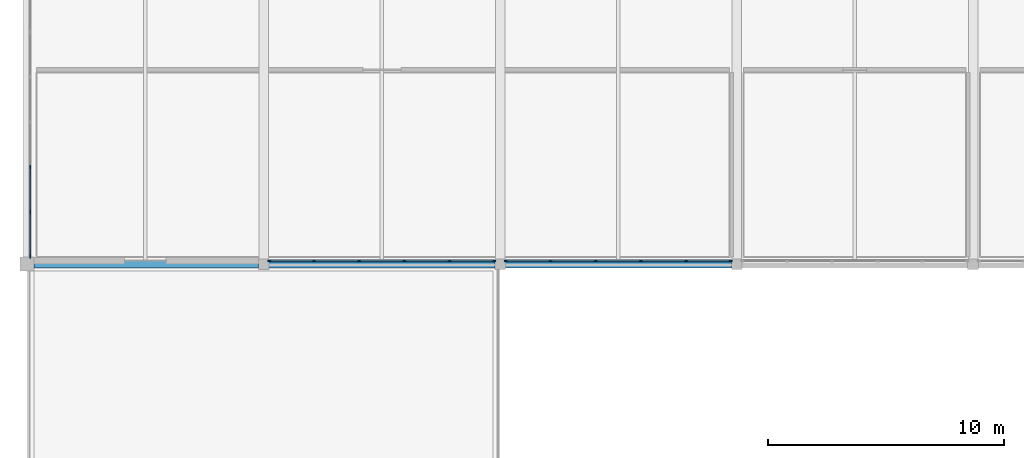
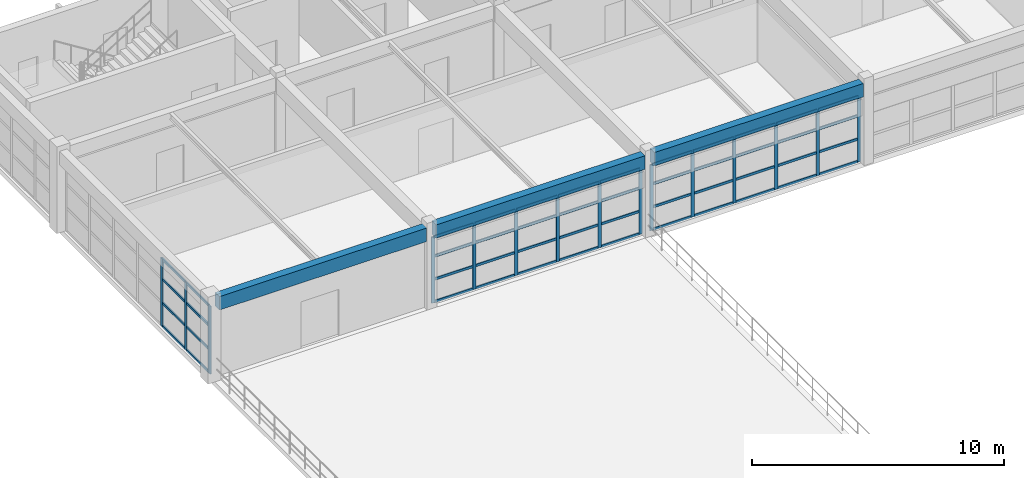
# One storey, part 3 of 21: 63 members, 3 beams, 3 elements without a shape of their own.
"""IFC4 building model written with IfcOpenShell, lengths in metres."""

from ifc_helpers import new_model, si_unit, direction, frame, origin, origin_2d, place, context, subcontext, project, spatial, rectangle, extrude, material, layer, layer_set, material_profile, profile_set, type_object, element, aggregate, save


model = new_model("IFC4")

# Units and contexts
model_context = context("Model", 3, precision=1e-05, world=origin(), true_north=direction((0.0, 1.0)))
body_context = subcontext(model_context, "Body", "Model", "MODEL_VIEW")
ifc_project = project(units=[si_unit("LENGTHUNIT", "METRE"), si_unit("AREAUNIT", "SQUARE_METRE"), si_unit("VOLUMEUNIT", "CUBIC_METRE"), si_unit("PLANEANGLEUNIT", "RADIAN"), si_unit("MASSUNIT", "GRAM", prefix="KILO")], contexts=[model_context])

# Site, building, storey
site_placement = place(None, origin())
site = spatial("IfcSite", under=ifc_project, at=site_placement, CompositionType="ELEMENT")
building_placement = place(site_placement, origin())
building = spatial("IfcBuilding", under=site, at=building_placement, Name="Kivolera Central Railway Station", CompositionType="ELEMENT")
storey_placement = place(building_placement, frame((0.0, 0.0, 22.800048828125)))
storey = spatial("IfcBuildingStorey", under=building, at=storey_placement, Name="L05", CompositionType="ELEMENT", Elevation=22.800048828125)

# Beams
ifc_material_1 = material(Name="Concrete C40/50", Category="concrete")
ifc_material_profile_1 = material_profile(ifc_material_1, rectangle(XDim=0.35009765625, YDim=0.64990234375, at=origin_2d()), Name="RC 350x650")
ifc_profile_set_1 = profile_set([ifc_material_profile_1], Name="Concrete C40/50")
beam_type = type_object("IfcBeamType", Name="BM-RC-350x650", PredefinedType="BEAM", material=ifc_profile_set_1)
beam_placement = place(storey_placement, frame((118.2919921875, 114.0, 3.625), z_axis=(1.0, 0.0, 0.0), x_axis=(0.0, 1.0, 0.0)))
element("IfcBeam", 1, at=beam_placement, inside=storey, type_object=beam_type, Name="L05 Wing X-Beam K:12-13", PredefinedType="BEAM", context=body_context, shape_type="SweptSolid", body=[
    extrude(rectangle(XDim=0.35009765625, YDim=0.64990234375, at=origin_2d()), origin(), (0.0, 0.0, 1.0), 9.490966796875),
])
for number, where, z_axis, x_axis, name in (
    (2, (128.217041015625, 114.0, 3.625), (1.0, 0.0, 0.0), (0.0, 1.0, 0.0), "L05 Wing X-Beam K:13-14"),
    (3, (138.217041015625, 114.0, 3.625), (1.0, 0.0, 0.0), (0.0, 1.0, 0.0), "L05 Wing X-Beam K:14-15"),
):
    element("IfcBeam", number, at=place(storey_placement, frame(where, z_axis=z_axis, x_axis=x_axis)), inside=storey, type_object=beam_type, Name=name, PredefinedType="BEAM", context=body_context, shape_type="SweptSolid", body=[
        extrude(rectangle(XDim=0.35009765625, YDim=0.64990234375, at=origin_2d()), origin(), (0.0, 0.0, 1.0), 9.56591796875),
    ])

# Curtain wall, members
ifc_material_2 = material(Name="Anodised aluminium", Category="aluminium")
ifc_layer_1 = layer(ifc_material_2, 0.179931640625, Name="Anodised aluminium")
ifc_layer_set_1 = layer_set([ifc_layer_1], Name="Anodised aluminium")
curtain_wall_type_1 = type_object("IfcCurtainWallType", Name="CW-SYS-34", PredefinedType="NOTDEFINED", material=ifc_layer_set_1)
curtain_wall_1_placement = place(storey_placement, origin())
curtain_wall_1 = element("IfcCurtainWall", 4, at=curtain_wall_1_placement, inside=storey, type_object=curtain_wall_type_1, Name="L05 Curtain Wall CW-L05-CRTN-128", PredefinedType="NOTDEFINED")
ifc_material_profile_2 = material_profile(ifc_material_2, rectangle(XDim=0.06005859375, YDim=0.14990234375, at=origin_2d()), Name="ALU MULL 60x150")
ifc_profile_set_2 = profile_set([ifc_material_profile_2], Name="Anodised aluminium")
member_type_1 = type_object("IfcMemberType", Name="CWM-MUL-2", PredefinedType="MULLION", material=ifc_profile_set_2)
member_1_placement = place(storey_placement, frame((137.75, 114.135009765625, -0.005126953125), z_axis=(0.0, 0.0, 1.0), x_axis=(0.0, -1.0, 0.0)))
member_1 = element("IfcMember", 5, at=member_1_placement, type_object=member_type_1, Name="CW-34 mullion 1", PredefinedType="MULLION", context=body_context, shape_type="SweptSolid", body=[
    extrude(rectangle(XDim=0.06005859375, YDim=0.14990234375, at=origin_2d()), origin(), (0.0, 0.0, 1.0), 3.193115234375),
])
member_2_placement = place(storey_placement, frame((135.867919921875, 114.135009765625, -0.005126953125), z_axis=(0.0, 0.0, 1.0), x_axis=(0.0, -1.0, 0.0)))
member_2 = element("IfcMember", 6, at=member_2_placement, type_object=member_type_1, Name="CW-34 mullion 2", PredefinedType="MULLION", context=body_context, shape_type="SweptSolid", body=[
    extrude(rectangle(XDim=0.06005859375, YDim=0.14990234375, at=origin_2d()), origin(), (0.0, 0.0, 1.0), 3.193115234375),
])
member_3_placement = place(storey_placement, frame((133.9560546875, 114.135009765625, -0.005126953125), z_axis=(0.0, 0.0, 1.0), x_axis=(0.0, -1.0, 0.0)))
member_3 = element("IfcMember", 7, at=member_3_placement, type_object=member_type_1, Name="CW-34 mullion 3", PredefinedType="MULLION", context=body_context, shape_type="SweptSolid", body=[
    extrude(rectangle(XDim=0.06005859375, YDim=0.14990234375, at=origin_2d()), origin(), (0.0, 0.0, 1.0), 3.193115234375),
])
member_4_placement = place(storey_placement, frame((132.0439453125, 114.135009765625, -0.005126953125), z_axis=(0.0, 0.0, 1.0), x_axis=(0.0, -1.0, 0.0)))
member_4 = element("IfcMember", 8, at=member_4_placement, type_object=member_type_1, Name="CW-34 mullion 4", PredefinedType="MULLION", context=body_context, shape_type="SweptSolid", body=[
    extrude(rectangle(XDim=0.06005859375, YDim=0.14990234375, at=origin_2d()), origin(), (0.0, 0.0, 1.0), 3.193115234375),
])
member_5_placement = place(storey_placement, frame((130.132080078125, 114.135009765625, -0.005126953125), z_axis=(0.0, 0.0, 1.0), x_axis=(0.0, -1.0, 0.0)))
member_5 = element("IfcMember", 9, at=member_5_placement, type_object=member_type_1, Name="CW-34 mullion 5", PredefinedType="MULLION", context=body_context, shape_type="SweptSolid", body=[
    extrude(rectangle(XDim=0.06005859375, YDim=0.14990234375, at=origin_2d()), origin(), (0.0, 0.0, 1.0), 3.193115234375),
])
member_6_placement = place(storey_placement, frame((128.25, 114.135009765625, -0.005126953125), z_axis=(0.0, 0.0, 1.0), x_axis=(0.0, -1.0, 0.0)))
member_6 = element("IfcMember", 10, at=member_6_placement, type_object=member_type_1, Name="CW-34 mullion 6", PredefinedType="MULLION", context=body_context, shape_type="SweptSolid", body=[
    extrude(rectangle(XDim=0.06005859375, YDim=0.14990234375, at=origin_2d()), origin(), (0.0, 0.0, 1.0), 3.193115234375),
])

curtain_wall_2_placement = place(storey_placement, origin())
curtain_wall_2 = element("IfcCurtainWall", 11, at=curtain_wall_2_placement, inside=storey, type_object=curtain_wall_type_1, Name="L05 Curtain Wall CW-L05-CRTN-138", PredefinedType="NOTDEFINED")
member_7_placement = place(storey_placement, frame((147.75, 114.135009765625, -0.005126953125), z_axis=(0.0, 0.0, 1.0), x_axis=(0.0, -1.0, 0.0)))
member_7 = element("IfcMember", 12, at=member_7_placement, type_object=member_type_1, Name="CW-34 mullion 1", PredefinedType="MULLION", context=body_context, shape_type="SweptSolid", body=[
    extrude(rectangle(XDim=0.06005859375, YDim=0.14990234375, at=origin_2d()), origin(), (0.0, 0.0, 1.0), 3.193115234375),
])
member_8_placement = place(storey_placement, frame((145.867919921875, 114.135009765625, -0.005126953125), z_axis=(0.0, 0.0, 1.0), x_axis=(0.0, -1.0, 0.0)))
member_8 = element("IfcMember", 13, at=member_8_placement, type_object=member_type_1, Name="CW-34 mullion 2", PredefinedType="MULLION", context=body_context, shape_type="SweptSolid", body=[
    extrude(rectangle(XDim=0.06005859375, YDim=0.14990234375, at=origin_2d()), origin(), (0.0, 0.0, 1.0), 3.193115234375),
])
member_9_placement = place(storey_placement, frame((143.9560546875, 114.135009765625, -0.005126953125), z_axis=(0.0, 0.0, 1.0), x_axis=(0.0, -1.0, 0.0)))
member_9 = element("IfcMember", 14, at=member_9_placement, type_object=member_type_1, Name="CW-34 mullion 3", PredefinedType="MULLION", context=body_context, shape_type="SweptSolid", body=[
    extrude(rectangle(XDim=0.06005859375, YDim=0.14990234375, at=origin_2d()), origin(), (0.0, 0.0, 1.0), 3.193115234375),
])
member_10_placement = place(storey_placement, frame((142.0439453125, 114.135009765625, -0.005126953125), z_axis=(0.0, 0.0, 1.0), x_axis=(0.0, -1.0, 0.0)))
member_10 = element("IfcMember", 15, at=member_10_placement, type_object=member_type_1, Name="CW-34 mullion 4", PredefinedType="MULLION", context=body_context, shape_type="SweptSolid", body=[
    extrude(rectangle(XDim=0.06005859375, YDim=0.14990234375, at=origin_2d()), origin(), (0.0, 0.0, 1.0), 3.193115234375),
])
member_11_placement = place(storey_placement, frame((140.132080078125, 114.135009765625, -0.005126953125), z_axis=(0.0, 0.0, 1.0), x_axis=(0.0, -1.0, 0.0)))
member_11 = element("IfcMember", 16, at=member_11_placement, type_object=member_type_1, Name="CW-34 mullion 5", PredefinedType="MULLION", context=body_context, shape_type="SweptSolid", body=[
    extrude(rectangle(XDim=0.06005859375, YDim=0.14990234375, at=origin_2d()), origin(), (0.0, 0.0, 1.0), 3.193115234375),
])
member_12_placement = place(storey_placement, frame((138.25, 114.135009765625, -0.005126953125), z_axis=(0.0, 0.0, 1.0), x_axis=(0.0, -1.0, 0.0)))
member_12 = element("IfcMember", 17, at=member_12_placement, type_object=member_type_1, Name="CW-34 mullion 6", PredefinedType="MULLION", context=body_context, shape_type="SweptSolid", body=[
    extrude(rectangle(XDim=0.06005859375, YDim=0.14990234375, at=origin_2d()), origin(), (0.0, 0.0, 1.0), 3.193115234375),
])

ifc_layer_2 = layer(ifc_material_2, 0.179931640625, Name="Anodised aluminium")
ifc_layer_set_2 = layer_set([ifc_layer_2], Name="Anodised aluminium")
curtain_wall_type_2 = type_object("IfcCurtainWallType", Name="CW-SYS-33", PredefinedType="NOTDEFINED", material=ifc_layer_set_2)
curtain_wall_3_placement = place(storey_placement, origin())
curtain_wall_3 = element("IfcCurtainWall", 18, at=curtain_wall_3_placement, inside=storey, type_object=curtain_wall_type_2, Name="L05 Curtain Wall CW-L05-WEST-K", PredefinedType="NOTDEFINED")
member_13_placement = place(storey_placement, frame((118.135009765625, 114.324951171875, -0.005126953125), z_axis=(0.0, 0.0, 1.0), x_axis=(-1.0, 0.0, 0.0)))
member_13 = element("IfcMember", 19, at=member_13_placement, type_object=member_type_1, Name="CW-33 mullion 1", PredefinedType="MULLION", context=body_context, shape_type="SweptSolid", body=[
    extrude(rectangle(XDim=0.06005859375, YDim=0.14990234375, at=origin_2d()), origin(), (0.0, 0.0, 1.0), 3.29296875),
])
member_14_placement = place(storey_placement, frame((118.135009765625, 116.19677734375, -0.005126953125), z_axis=(0.0, 0.0, 1.0), x_axis=(-1.0, 0.0, 0.0)))
member_14 = element("IfcMember", 20, at=member_14_placement, type_object=member_type_1, Name="CW-33 mullion 2", PredefinedType="MULLION", context=body_context, shape_type="SweptSolid", body=[
    extrude(rectangle(XDim=0.06005859375, YDim=0.14990234375, at=origin_2d()), origin(), (0.0, 0.0, 1.0), 3.29296875),
])
member_15_placement = place(storey_placement, frame((118.135009765625, 118.098388671875, -0.005126953125), z_axis=(0.0, 0.0, 1.0), x_axis=(-1.0, 0.0, 0.0)))
member_15 = element("IfcMember", 21, at=member_15_placement, type_object=member_type_1, Name="CW-33 mullion 3", PredefinedType="MULLION", context=body_context, shape_type="SweptSolid", body=[
    extrude(rectangle(XDim=0.06005859375, YDim=0.14990234375, at=origin_2d()), origin(), (0.0, 0.0, 1.0), 3.29296875),
])

# Member
ifc_material_profile_3 = material_profile(ifc_material_2, rectangle(XDim=0.06005859375, YDim=0.1201171875, at=origin_2d()), Name="ALU TRAN 60x120")
ifc_profile_set_3 = profile_set([ifc_material_profile_3], Name="Anodised aluminium")
member_type_2 = type_object("IfcMemberType", Name="CWM-TRN-2", PredefinedType="USERDEFINED", material=ifc_profile_set_3)
member_16_placement = place(storey_placement, frame((137.719970703125, 114.135009765625, 0.030029296875), z_axis=(-1.0, 0.0, 0.0), x_axis=(0.0, -1.0, 0.0)))
member_16 = element("IfcMember", 22, at=member_16_placement, type_object=member_type_2, Name="CW-34 transom 1.1", ObjectType="TRANSOM", PredefinedType="USERDEFINED", context=body_context, shape_type="SweptSolid", body=[
    extrude(rectangle(XDim=0.06005859375, YDim=0.1201171875, at=origin_2d()), origin(), (0.0, 0.0, 1.0), 1.822021484375),
])

member_17_placement = place(storey_placement, frame((137.719970703125, 114.135009765625, 1.11572265625), z_axis=(-1.0, 0.0, 0.0), x_axis=(0.0, -1.0, 0.0)))
member_17 = element("IfcMember", 23, at=member_17_placement, type_object=member_type_2, Name="CW-34 transom 1.2", ObjectType="TRANSOM", PredefinedType="USERDEFINED", context=body_context, shape_type="SweptSolid", body=[
    extrude(rectangle(XDim=0.06005859375, YDim=0.1201171875, at=origin_2d()), origin(), (0.0, 0.0, 1.0), 1.822021484375),
])

member_18_placement = place(storey_placement, frame((137.719970703125, 114.135009765625, 2.2314453125), z_axis=(-1.0, 0.0, 0.0), x_axis=(0.0, -1.0, 0.0)))
member_18 = element("IfcMember", 24, at=member_18_placement, type_object=member_type_2, Name="CW-34 transom 1.3", ObjectType="TRANSOM", PredefinedType="USERDEFINED", context=body_context, shape_type="SweptSolid", body=[
    extrude(rectangle(XDim=0.06005859375, YDim=0.1201171875, at=origin_2d()), origin(), (0.0, 0.0, 1.0), 1.822021484375),
])

member_19_placement = place(storey_placement, frame((137.719970703125, 114.135009765625, 3.157958984375), z_axis=(-1.0, 0.0, 0.0), x_axis=(0.0, -1.0, 0.0)))
member_19 = element("IfcMember", 25, at=member_19_placement, type_object=member_type_2, Name="CW-34 transom 1.4", ObjectType="TRANSOM", PredefinedType="USERDEFINED", context=body_context, shape_type="SweptSolid", body=[
    extrude(rectangle(XDim=0.06005859375, YDim=0.1201171875, at=origin_2d()), origin(), (0.0, 0.0, 1.0), 1.822021484375),
])

member_20_placement = place(storey_placement, frame((135.837890625, 114.135009765625, 0.030029296875), z_axis=(-1.0, 0.0, 0.0), x_axis=(0.0, -1.0, 0.0)))
member_20 = element("IfcMember", 26, at=member_20_placement, type_object=member_type_2, Name="CW-34 transom 2.1", ObjectType="TRANSOM", PredefinedType="USERDEFINED", context=body_context, shape_type="SweptSolid", body=[
    extrude(rectangle(XDim=0.06005859375, YDim=0.1201171875, at=origin_2d()), origin(), (0.0, 0.0, 1.0), 1.851806640625),
])

member_21_placement = place(storey_placement, frame((135.837890625, 114.135009765625, 1.11572265625), z_axis=(-1.0, 0.0, 0.0), x_axis=(0.0, -1.0, 0.0)))
member_21 = element("IfcMember", 27, at=member_21_placement, type_object=member_type_2, Name="CW-34 transom 2.2", ObjectType="TRANSOM", PredefinedType="USERDEFINED", context=body_context, shape_type="SweptSolid", body=[
    extrude(rectangle(XDim=0.06005859375, YDim=0.1201171875, at=origin_2d()), origin(), (0.0, 0.0, 1.0), 1.851806640625),
])

member_22_placement = place(storey_placement, frame((135.837890625, 114.135009765625, 2.2314453125), z_axis=(-1.0, 0.0, 0.0), x_axis=(0.0, -1.0, 0.0)))
member_22 = element("IfcMember", 28, at=member_22_placement, type_object=member_type_2, Name="CW-34 transom 2.3", ObjectType="TRANSOM", PredefinedType="USERDEFINED", context=body_context, shape_type="SweptSolid", body=[
    extrude(rectangle(XDim=0.06005859375, YDim=0.1201171875, at=origin_2d()), origin(), (0.0, 0.0, 1.0), 1.851806640625),
])

member_23_placement = place(storey_placement, frame((135.837890625, 114.135009765625, 3.157958984375), z_axis=(-1.0, 0.0, 0.0), x_axis=(0.0, -1.0, 0.0)))
member_23 = element("IfcMember", 29, at=member_23_placement, type_object=member_type_2, Name="CW-34 transom 2.4", ObjectType="TRANSOM", PredefinedType="USERDEFINED", context=body_context, shape_type="SweptSolid", body=[
    extrude(rectangle(XDim=0.06005859375, YDim=0.1201171875, at=origin_2d()), origin(), (0.0, 0.0, 1.0), 1.851806640625),
])

member_24_placement = place(storey_placement, frame((133.926025390625, 114.135009765625, 0.030029296875), z_axis=(-1.0, 0.0, 0.0), x_axis=(0.0, -1.0, 0.0)))
member_24 = element("IfcMember", 30, at=member_24_placement, type_object=member_type_2, Name="CW-34 transom 3.1", ObjectType="TRANSOM", PredefinedType="USERDEFINED", context=body_context, shape_type="SweptSolid", body=[
    extrude(rectangle(XDim=0.06005859375, YDim=0.1201171875, at=origin_2d()), origin(), (0.0, 0.0, 1.0), 1.85205078125),
])

member_25_placement = place(storey_placement, frame((133.926025390625, 114.135009765625, 1.11572265625), z_axis=(-1.0, 0.0, 0.0), x_axis=(0.0, -1.0, 0.0)))
member_25 = element("IfcMember", 31, at=member_25_placement, type_object=member_type_2, Name="CW-34 transom 3.2", ObjectType="TRANSOM", PredefinedType="USERDEFINED", context=body_context, shape_type="SweptSolid", body=[
    extrude(rectangle(XDim=0.06005859375, YDim=0.1201171875, at=origin_2d()), origin(), (0.0, 0.0, 1.0), 1.85205078125),
])

member_26_placement = place(storey_placement, frame((133.926025390625, 114.135009765625, 2.2314453125), z_axis=(-1.0, 0.0, 0.0), x_axis=(0.0, -1.0, 0.0)))
member_26 = element("IfcMember", 32, at=member_26_placement, type_object=member_type_2, Name="CW-34 transom 3.3", ObjectType="TRANSOM", PredefinedType="USERDEFINED", context=body_context, shape_type="SweptSolid", body=[
    extrude(rectangle(XDim=0.06005859375, YDim=0.1201171875, at=origin_2d()), origin(), (0.0, 0.0, 1.0), 1.85205078125),
])

member_27_placement = place(storey_placement, frame((133.926025390625, 114.135009765625, 3.157958984375), z_axis=(-1.0, 0.0, 0.0), x_axis=(0.0, -1.0, 0.0)))
member_27 = element("IfcMember", 33, at=member_27_placement, type_object=member_type_2, Name="CW-34 transom 3.4", ObjectType="TRANSOM", PredefinedType="USERDEFINED", context=body_context, shape_type="SweptSolid", body=[
    extrude(rectangle(XDim=0.06005859375, YDim=0.1201171875, at=origin_2d()), origin(), (0.0, 0.0, 1.0), 1.85205078125),
])

member_28_placement = place(storey_placement, frame((132.013916015625, 114.135009765625, 0.030029296875), z_axis=(-1.0, 0.0, 0.0), x_axis=(0.0, -1.0, 0.0)))
member_28 = element("IfcMember", 34, at=member_28_placement, type_object=member_type_2, Name="CW-34 transom 4.1", ObjectType="TRANSOM", PredefinedType="USERDEFINED", context=body_context, shape_type="SweptSolid", body=[
    extrude(rectangle(XDim=0.06005859375, YDim=0.1201171875, at=origin_2d()), origin(), (0.0, 0.0, 1.0), 1.851806640625),
])

member_29_placement = place(storey_placement, frame((132.013916015625, 114.135009765625, 1.11572265625), z_axis=(-1.0, 0.0, 0.0), x_axis=(0.0, -1.0, 0.0)))
member_29 = element("IfcMember", 35, at=member_29_placement, type_object=member_type_2, Name="CW-34 transom 4.2", ObjectType="TRANSOM", PredefinedType="USERDEFINED", context=body_context, shape_type="SweptSolid", body=[
    extrude(rectangle(XDim=0.06005859375, YDim=0.1201171875, at=origin_2d()), origin(), (0.0, 0.0, 1.0), 1.851806640625),
])

member_30_placement = place(storey_placement, frame((132.013916015625, 114.135009765625, 2.2314453125), z_axis=(-1.0, 0.0, 0.0), x_axis=(0.0, -1.0, 0.0)))
member_30 = element("IfcMember", 36, at=member_30_placement, type_object=member_type_2, Name="CW-34 transom 4.3", ObjectType="TRANSOM", PredefinedType="USERDEFINED", context=body_context, shape_type="SweptSolid", body=[
    extrude(rectangle(XDim=0.06005859375, YDim=0.1201171875, at=origin_2d()), origin(), (0.0, 0.0, 1.0), 1.851806640625),
])

member_31_placement = place(storey_placement, frame((132.013916015625, 114.135009765625, 3.157958984375), z_axis=(-1.0, 0.0, 0.0), x_axis=(0.0, -1.0, 0.0)))
member_31 = element("IfcMember", 37, at=member_31_placement, type_object=member_type_2, Name="CW-34 transom 4.4", ObjectType="TRANSOM", PredefinedType="USERDEFINED", context=body_context, shape_type="SweptSolid", body=[
    extrude(rectangle(XDim=0.06005859375, YDim=0.1201171875, at=origin_2d()), origin(), (0.0, 0.0, 1.0), 1.851806640625),
])

member_32_placement = place(storey_placement, frame((130.10205078125, 114.135009765625, 0.030029296875), z_axis=(-1.0, 0.0, 0.0), x_axis=(0.0, -1.0, 0.0)))
member_32 = element("IfcMember", 38, at=member_32_placement, type_object=member_type_2, Name="CW-34 transom 5.1", ObjectType="TRANSOM", PredefinedType="USERDEFINED", context=body_context, shape_type="SweptSolid", body=[
    extrude(rectangle(XDim=0.06005859375, YDim=0.1201171875, at=origin_2d()), origin(), (0.0, 0.0, 1.0), 1.822021484375),
])

member_33_placement = place(storey_placement, frame((130.10205078125, 114.135009765625, 1.11572265625), z_axis=(-1.0, 0.0, 0.0), x_axis=(0.0, -1.0, 0.0)))
member_33 = element("IfcMember", 39, at=member_33_placement, type_object=member_type_2, Name="CW-34 transom 5.2", ObjectType="TRANSOM", PredefinedType="USERDEFINED", context=body_context, shape_type="SweptSolid", body=[
    extrude(rectangle(XDim=0.06005859375, YDim=0.1201171875, at=origin_2d()), origin(), (0.0, 0.0, 1.0), 1.822021484375),
])

member_34_placement = place(storey_placement, frame((130.10205078125, 114.135009765625, 2.2314453125), z_axis=(-1.0, 0.0, 0.0), x_axis=(0.0, -1.0, 0.0)))
member_34 = element("IfcMember", 40, at=member_34_placement, type_object=member_type_2, Name="CW-34 transom 5.3", ObjectType="TRANSOM", PredefinedType="USERDEFINED", context=body_context, shape_type="SweptSolid", body=[
    extrude(rectangle(XDim=0.06005859375, YDim=0.1201171875, at=origin_2d()), origin(), (0.0, 0.0, 1.0), 1.822021484375),
])

member_35_placement = place(storey_placement, frame((130.10205078125, 114.135009765625, 3.157958984375), z_axis=(-1.0, 0.0, 0.0), x_axis=(0.0, -1.0, 0.0)))
member_35 = element("IfcMember", 41, at=member_35_placement, type_object=member_type_2, Name="CW-34 transom 5.4", ObjectType="TRANSOM", PredefinedType="USERDEFINED", context=body_context, shape_type="SweptSolid", body=[
    extrude(rectangle(XDim=0.06005859375, YDim=0.1201171875, at=origin_2d()), origin(), (0.0, 0.0, 1.0), 1.822021484375),
])

aggregate(curtain_wall_1, [member_1, member_2, member_3, member_4, member_5, member_6, member_16, member_17, member_18, member_19, member_20, member_21, member_22, member_23, member_24, member_25, member_26, member_27, member_28, member_29, member_30, member_31, member_32, member_33, member_34, member_35])

member_36_placement = place(storey_placement, frame((147.719970703125, 114.135009765625, 0.030029296875), z_axis=(-1.0, 0.0, 0.0), x_axis=(0.0, -1.0, 0.0)))
member_36 = element("IfcMember", 42, at=member_36_placement, type_object=member_type_2, Name="CW-34 transom 1.1", ObjectType="TRANSOM", PredefinedType="USERDEFINED", context=body_context, shape_type="SweptSolid", body=[
    extrude(rectangle(XDim=0.06005859375, YDim=0.1201171875, at=origin_2d()), origin(), (0.0, 0.0, 1.0), 1.822021484375),
])

member_37_placement = place(storey_placement, frame((147.719970703125, 114.135009765625, 1.11572265625), z_axis=(-1.0, 0.0, 0.0), x_axis=(0.0, -1.0, 0.0)))
member_37 = element("IfcMember", 43, at=member_37_placement, type_object=member_type_2, Name="CW-34 transom 1.2", ObjectType="TRANSOM", PredefinedType="USERDEFINED", context=body_context, shape_type="SweptSolid", body=[
    extrude(rectangle(XDim=0.06005859375, YDim=0.1201171875, at=origin_2d()), origin(), (0.0, 0.0, 1.0), 1.822021484375),
])

member_38_placement = place(storey_placement, frame((147.719970703125, 114.135009765625, 2.2314453125), z_axis=(-1.0, 0.0, 0.0), x_axis=(0.0, -1.0, 0.0)))
member_38 = element("IfcMember", 44, at=member_38_placement, type_object=member_type_2, Name="CW-34 transom 1.3", ObjectType="TRANSOM", PredefinedType="USERDEFINED", context=body_context, shape_type="SweptSolid", body=[
    extrude(rectangle(XDim=0.06005859375, YDim=0.1201171875, at=origin_2d()), origin(), (0.0, 0.0, 1.0), 1.822021484375),
])

member_39_placement = place(storey_placement, frame((147.719970703125, 114.135009765625, 3.157958984375), z_axis=(-1.0, 0.0, 0.0), x_axis=(0.0, -1.0, 0.0)))
member_39 = element("IfcMember", 45, at=member_39_placement, type_object=member_type_2, Name="CW-34 transom 1.4", ObjectType="TRANSOM", PredefinedType="USERDEFINED", context=body_context, shape_type="SweptSolid", body=[
    extrude(rectangle(XDim=0.06005859375, YDim=0.1201171875, at=origin_2d()), origin(), (0.0, 0.0, 1.0), 1.822021484375),
])

member_40_placement = place(storey_placement, frame((145.837890625, 114.135009765625, 0.030029296875), z_axis=(-1.0, 0.0, 0.0), x_axis=(0.0, -1.0, 0.0)))
member_40 = element("IfcMember", 46, at=member_40_placement, type_object=member_type_2, Name="CW-34 transom 2.1", ObjectType="TRANSOM", PredefinedType="USERDEFINED", context=body_context, shape_type="SweptSolid", body=[
    extrude(rectangle(XDim=0.06005859375, YDim=0.1201171875, at=origin_2d()), origin(), (0.0, 0.0, 1.0), 1.851806640625),
])

member_41_placement = place(storey_placement, frame((145.837890625, 114.135009765625, 1.11572265625), z_axis=(-1.0, 0.0, 0.0), x_axis=(0.0, -1.0, 0.0)))
member_41 = element("IfcMember", 47, at=member_41_placement, type_object=member_type_2, Name="CW-34 transom 2.2", ObjectType="TRANSOM", PredefinedType="USERDEFINED", context=body_context, shape_type="SweptSolid", body=[
    extrude(rectangle(XDim=0.06005859375, YDim=0.1201171875, at=origin_2d()), origin(), (0.0, 0.0, 1.0), 1.851806640625),
])

member_42_placement = place(storey_placement, frame((145.837890625, 114.135009765625, 2.2314453125), z_axis=(-1.0, 0.0, 0.0), x_axis=(0.0, -1.0, 0.0)))
member_42 = element("IfcMember", 48, at=member_42_placement, type_object=member_type_2, Name="CW-34 transom 2.3", ObjectType="TRANSOM", PredefinedType="USERDEFINED", context=body_context, shape_type="SweptSolid", body=[
    extrude(rectangle(XDim=0.06005859375, YDim=0.1201171875, at=origin_2d()), origin(), (0.0, 0.0, 1.0), 1.851806640625),
])

member_43_placement = place(storey_placement, frame((145.837890625, 114.135009765625, 3.157958984375), z_axis=(-1.0, 0.0, 0.0), x_axis=(0.0, -1.0, 0.0)))
member_43 = element("IfcMember", 49, at=member_43_placement, type_object=member_type_2, Name="CW-34 transom 2.4", ObjectType="TRANSOM", PredefinedType="USERDEFINED", context=body_context, shape_type="SweptSolid", body=[
    extrude(rectangle(XDim=0.06005859375, YDim=0.1201171875, at=origin_2d()), origin(), (0.0, 0.0, 1.0), 1.851806640625),
])

member_44_placement = place(storey_placement, frame((143.926025390625, 114.135009765625, 0.030029296875), z_axis=(-1.0, 0.0, 0.0), x_axis=(0.0, -1.0, 0.0)))
member_44 = element("IfcMember", 50, at=member_44_placement, type_object=member_type_2, Name="CW-34 transom 3.1", ObjectType="TRANSOM", PredefinedType="USERDEFINED", context=body_context, shape_type="SweptSolid", body=[
    extrude(rectangle(XDim=0.06005859375, YDim=0.1201171875, at=origin_2d()), origin(), (0.0, 0.0, 1.0), 1.85205078125),
])

member_45_placement = place(storey_placement, frame((143.926025390625, 114.135009765625, 1.11572265625), z_axis=(-1.0, 0.0, 0.0), x_axis=(0.0, -1.0, 0.0)))
member_45 = element("IfcMember", 51, at=member_45_placement, type_object=member_type_2, Name="CW-34 transom 3.2", ObjectType="TRANSOM", PredefinedType="USERDEFINED", context=body_context, shape_type="SweptSolid", body=[
    extrude(rectangle(XDim=0.06005859375, YDim=0.1201171875, at=origin_2d()), origin(), (0.0, 0.0, 1.0), 1.85205078125),
])

member_46_placement = place(storey_placement, frame((143.926025390625, 114.135009765625, 2.2314453125), z_axis=(-1.0, 0.0, 0.0), x_axis=(0.0, -1.0, 0.0)))
member_46 = element("IfcMember", 52, at=member_46_placement, type_object=member_type_2, Name="CW-34 transom 3.3", ObjectType="TRANSOM", PredefinedType="USERDEFINED", context=body_context, shape_type="SweptSolid", body=[
    extrude(rectangle(XDim=0.06005859375, YDim=0.1201171875, at=origin_2d()), origin(), (0.0, 0.0, 1.0), 1.85205078125),
])

member_47_placement = place(storey_placement, frame((143.926025390625, 114.135009765625, 3.157958984375), z_axis=(-1.0, 0.0, 0.0), x_axis=(0.0, -1.0, 0.0)))
member_47 = element("IfcMember", 53, at=member_47_placement, type_object=member_type_2, Name="CW-34 transom 3.4", ObjectType="TRANSOM", PredefinedType="USERDEFINED", context=body_context, shape_type="SweptSolid", body=[
    extrude(rectangle(XDim=0.06005859375, YDim=0.1201171875, at=origin_2d()), origin(), (0.0, 0.0, 1.0), 1.85205078125),
])

member_48_placement = place(storey_placement, frame((142.013916015625, 114.135009765625, 0.030029296875), z_axis=(-1.0, 0.0, 0.0), x_axis=(0.0, -1.0, 0.0)))
member_48 = element("IfcMember", 54, at=member_48_placement, type_object=member_type_2, Name="CW-34 transom 4.1", ObjectType="TRANSOM", PredefinedType="USERDEFINED", context=body_context, shape_type="SweptSolid", body=[
    extrude(rectangle(XDim=0.06005859375, YDim=0.1201171875, at=origin_2d()), origin(), (0.0, 0.0, 1.0), 1.851806640625),
])

member_49_placement = place(storey_placement, frame((142.013916015625, 114.135009765625, 1.11572265625), z_axis=(-1.0, 0.0, 0.0), x_axis=(0.0, -1.0, 0.0)))
member_49 = element("IfcMember", 55, at=member_49_placement, type_object=member_type_2, Name="CW-34 transom 4.2", ObjectType="TRANSOM", PredefinedType="USERDEFINED", context=body_context, shape_type="SweptSolid", body=[
    extrude(rectangle(XDim=0.06005859375, YDim=0.1201171875, at=origin_2d()), origin(), (0.0, 0.0, 1.0), 1.851806640625),
])

member_50_placement = place(storey_placement, frame((142.013916015625, 114.135009765625, 2.2314453125), z_axis=(-1.0, 0.0, 0.0), x_axis=(0.0, -1.0, 0.0)))
member_50 = element("IfcMember", 56, at=member_50_placement, type_object=member_type_2, Name="CW-34 transom 4.3", ObjectType="TRANSOM", PredefinedType="USERDEFINED", context=body_context, shape_type="SweptSolid", body=[
    extrude(rectangle(XDim=0.06005859375, YDim=0.1201171875, at=origin_2d()), origin(), (0.0, 0.0, 1.0), 1.851806640625),
])

member_51_placement = place(storey_placement, frame((142.013916015625, 114.135009765625, 3.157958984375), z_axis=(-1.0, 0.0, 0.0), x_axis=(0.0, -1.0, 0.0)))
member_51 = element("IfcMember", 57, at=member_51_placement, type_object=member_type_2, Name="CW-34 transom 4.4", ObjectType="TRANSOM", PredefinedType="USERDEFINED", context=body_context, shape_type="SweptSolid", body=[
    extrude(rectangle(XDim=0.06005859375, YDim=0.1201171875, at=origin_2d()), origin(), (0.0, 0.0, 1.0), 1.851806640625),
])

member_52_placement = place(storey_placement, frame((140.10205078125, 114.135009765625, 0.030029296875), z_axis=(-1.0, 0.0, 0.0), x_axis=(0.0, -1.0, 0.0)))
member_52 = element("IfcMember", 58, at=member_52_placement, type_object=member_type_2, Name="CW-34 transom 5.1", ObjectType="TRANSOM", PredefinedType="USERDEFINED", context=body_context, shape_type="SweptSolid", body=[
    extrude(rectangle(XDim=0.06005859375, YDim=0.1201171875, at=origin_2d()), origin(), (0.0, 0.0, 1.0), 1.822021484375),
])

member_53_placement = place(storey_placement, frame((140.10205078125, 114.135009765625, 1.11572265625), z_axis=(-1.0, 0.0, 0.0), x_axis=(0.0, -1.0, 0.0)))
member_53 = element("IfcMember", 59, at=member_53_placement, type_object=member_type_2, Name="CW-34 transom 5.2", ObjectType="TRANSOM", PredefinedType="USERDEFINED", context=body_context, shape_type="SweptSolid", body=[
    extrude(rectangle(XDim=0.06005859375, YDim=0.1201171875, at=origin_2d()), origin(), (0.0, 0.0, 1.0), 1.822021484375),
])

member_54_placement = place(storey_placement, frame((140.10205078125, 114.135009765625, 2.2314453125), z_axis=(-1.0, 0.0, 0.0), x_axis=(0.0, -1.0, 0.0)))
member_54 = element("IfcMember", 60, at=member_54_placement, type_object=member_type_2, Name="CW-34 transom 5.3", ObjectType="TRANSOM", PredefinedType="USERDEFINED", context=body_context, shape_type="SweptSolid", body=[
    extrude(rectangle(XDim=0.06005859375, YDim=0.1201171875, at=origin_2d()), origin(), (0.0, 0.0, 1.0), 1.822021484375),
])

member_55_placement = place(storey_placement, frame((140.10205078125, 114.135009765625, 3.157958984375), z_axis=(-1.0, 0.0, 0.0), x_axis=(0.0, -1.0, 0.0)))
member_55 = element("IfcMember", 61, at=member_55_placement, type_object=member_type_2, Name="CW-34 transom 5.4", ObjectType="TRANSOM", PredefinedType="USERDEFINED", context=body_context, shape_type="SweptSolid", body=[
    extrude(rectangle(XDim=0.06005859375, YDim=0.1201171875, at=origin_2d()), origin(), (0.0, 0.0, 1.0), 1.822021484375),
])

aggregate(curtain_wall_2, [member_7, member_8, member_9, member_10, member_11, member_12, member_36, member_37, member_38, member_39, member_40, member_41, member_42, member_43, member_44, member_45, member_46, member_47, member_48, member_49, member_50, member_51, member_52, member_53, member_54, member_55])

member_56_placement = place(storey_placement, frame((118.135009765625, 114.35498046875, 0.030029296875), z_axis=(0.0, 1.0, 0.0), x_axis=(-1.0, 0.0, 0.0)))
member_56 = element("IfcMember", 62, at=member_56_placement, type_object=member_type_2, Name="CW-33 transom 1.1", ObjectType="TRANSOM", PredefinedType="USERDEFINED", context=body_context, shape_type="SweptSolid", body=[
    extrude(rectangle(XDim=0.06005859375, YDim=0.1201171875, at=origin_2d()), origin(), (0.0, 0.0, 1.0), 1.811767578125),
])

member_57_placement = place(storey_placement, frame((118.135009765625, 114.35498046875, 1.150634765625), z_axis=(0.0, 1.0, 0.0), x_axis=(-1.0, 0.0, 0.0)))
member_57 = element("IfcMember", 63, at=member_57_placement, type_object=member_type_2, Name="CW-33 transom 1.2", ObjectType="TRANSOM", PredefinedType="USERDEFINED", context=body_context, shape_type="SweptSolid", body=[
    extrude(rectangle(XDim=0.06005859375, YDim=0.1201171875, at=origin_2d()), origin(), (0.0, 0.0, 1.0), 1.811767578125),
])

member_58_placement = place(storey_placement, frame((118.135009765625, 114.35498046875, 2.301513671875), z_axis=(0.0, 1.0, 0.0), x_axis=(-1.0, 0.0, 0.0)))
member_58 = element("IfcMember", 64, at=member_58_placement, type_object=member_type_2, Name="CW-33 transom 1.3", ObjectType="TRANSOM", PredefinedType="USERDEFINED", context=body_context, shape_type="SweptSolid", body=[
    extrude(rectangle(XDim=0.06005859375, YDim=0.1201171875, at=origin_2d()), origin(), (0.0, 0.0, 1.0), 1.811767578125),
])

member_59_placement = place(storey_placement, frame((118.135009765625, 114.35498046875, 3.258056640625), z_axis=(0.0, 1.0, 0.0), x_axis=(-1.0, 0.0, 0.0)))
member_59 = element("IfcMember", 65, at=member_59_placement, type_object=member_type_2, Name="CW-33 transom 1.4", ObjectType="TRANSOM", PredefinedType="USERDEFINED", context=body_context, shape_type="SweptSolid", body=[
    extrude(rectangle(XDim=0.06005859375, YDim=0.1201171875, at=origin_2d()), origin(), (0.0, 0.0, 1.0), 1.811767578125),
])

member_60_placement = place(storey_placement, frame((118.135009765625, 116.2265625, 0.030029296875), z_axis=(0.0, 1.0, 0.0), x_axis=(-1.0, 0.0, 0.0)))
member_60 = element("IfcMember", 66, at=member_60_placement, type_object=member_type_2, Name="CW-33 transom 2.1", ObjectType="TRANSOM", PredefinedType="USERDEFINED", context=body_context, shape_type="SweptSolid", body=[
    extrude(rectangle(XDim=0.06005859375, YDim=0.1201171875, at=origin_2d()), origin(), (0.0, 0.0, 1.0), 1.841796875),
])

member_61_placement = place(storey_placement, frame((118.135009765625, 116.2265625, 1.150634765625), z_axis=(0.0, 1.0, 0.0), x_axis=(-1.0, 0.0, 0.0)))
member_61 = element("IfcMember", 67, at=member_61_placement, type_object=member_type_2, Name="CW-33 transom 2.2", ObjectType="TRANSOM", PredefinedType="USERDEFINED", context=body_context, shape_type="SweptSolid", body=[
    extrude(rectangle(XDim=0.06005859375, YDim=0.1201171875, at=origin_2d()), origin(), (0.0, 0.0, 1.0), 1.841796875),
])

member_62_placement = place(storey_placement, frame((118.135009765625, 116.2265625, 2.301513671875), z_axis=(0.0, 1.0, 0.0), x_axis=(-1.0, 0.0, 0.0)))
member_62 = element("IfcMember", 68, at=member_62_placement, type_object=member_type_2, Name="CW-33 transom 2.3", ObjectType="TRANSOM", PredefinedType="USERDEFINED", context=body_context, shape_type="SweptSolid", body=[
    extrude(rectangle(XDim=0.06005859375, YDim=0.1201171875, at=origin_2d()), origin(), (0.0, 0.0, 1.0), 1.841796875),
])

member_63_placement = place(storey_placement, frame((118.135009765625, 116.2265625, 3.258056640625), z_axis=(0.0, 1.0, 0.0), x_axis=(-1.0, 0.0, 0.0)))
member_63 = element("IfcMember", 69, at=member_63_placement, type_object=member_type_2, Name="CW-33 transom 2.4", ObjectType="TRANSOM", PredefinedType="USERDEFINED", context=body_context, shape_type="SweptSolid", body=[
    extrude(rectangle(XDim=0.06005859375, YDim=0.1201171875, at=origin_2d()), origin(), (0.0, 0.0, 1.0), 1.841796875),
])

aggregate(curtain_wall_3, [member_13, member_14, member_15, member_56, member_57, member_58, member_59, member_60, member_61, member_62, member_63])

save(model, "model.ifc")
